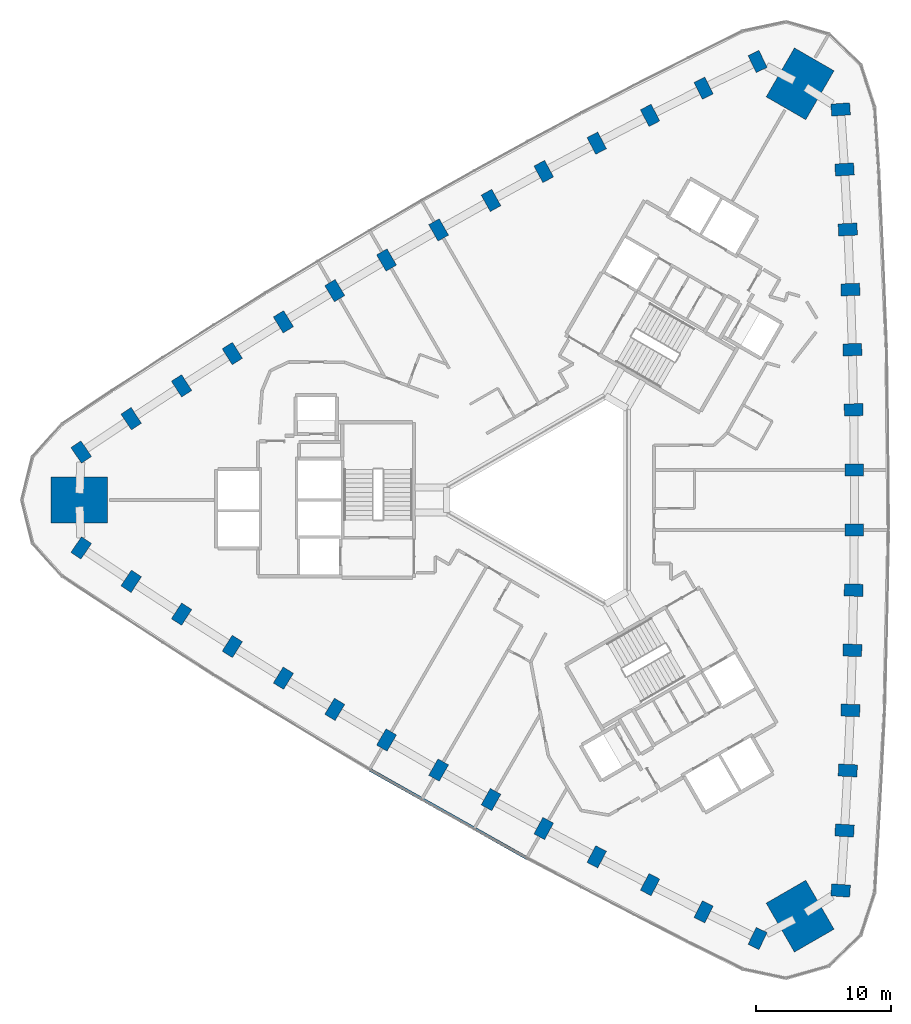
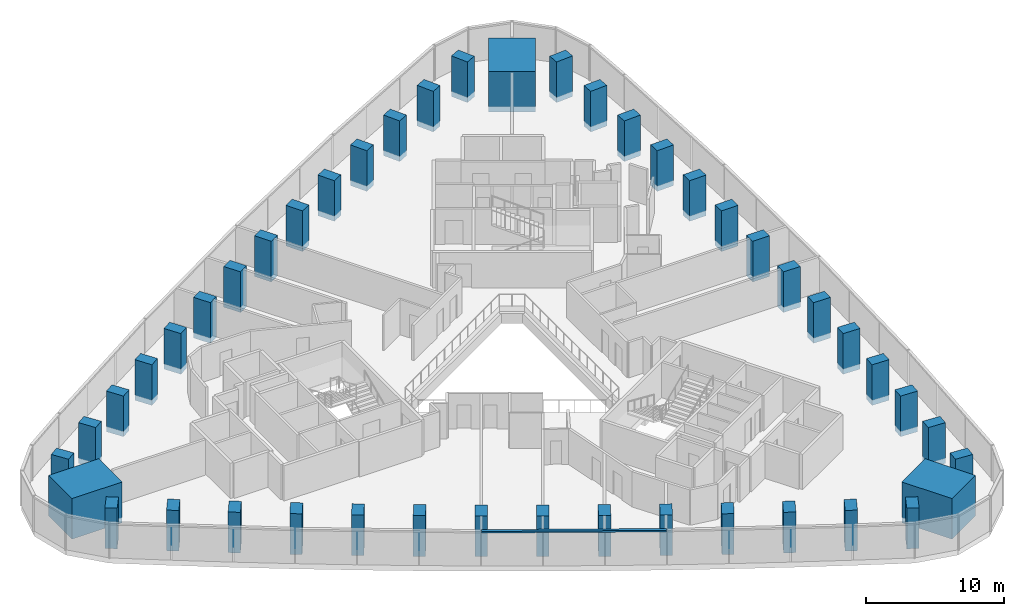
# One storey, part 1 of 13: 45 columns, 1 member, 1 element without a shape of its own.
"""IFC4 building model written with IfcOpenShell, lengths in metres."""

import ifcopenshell
import ifcopenshell.guid

model = None  # the IFC model being written
_history = None  # IfcOwnerHistory: only IFC2X3 demands one
_inside = {}  # id of a spatial element -> (the spatial element, [elements in it])
_under = {}  # id of a project, library or spatial element -> (it, [spatial elements below it])
_declared = {}  # id of a project -> (the project, [libraries it declares])
_typed = {}  # id of a type object -> (the type object, [elements of that type])
_made_of = {}  # id of a material, layer set ... -> (it, [elements and type objects made of it])


def new_model(schema):
    """Start an empty IFC model of exactly this schema.

    Asked for "IFC4X3", IfcOpenShell would pick the latest addendum, in which some entities
    have other attributes; the version numbers below select the first issue.
    IFC2X3 requires an IfcOwnerHistory on every rooted entity: one is made here for all.
    """
    global model, _history
    if schema == "IFC4X3":
        model = ifcopenshell.file(schema_version=(4, 3, 0, 0))
    else:
        model = ifcopenshell.file(schema=schema)
    _inside.clear()
    _under.clear()
    _declared.clear()
    _typed.clear()
    _made_of.clear()
    _history = None
    if model.schema == "IFC2X3":
        org = make("IfcOrganization", Name="unknown")
        user = make(
            "IfcPersonAndOrganization",
            ThePerson=make("IfcPerson", FamilyName="unknown"),
            TheOrganization=org,
        )
        app = make(
            "IfcApplication",
            ApplicationDeveloper=org,
            Version="unknown",
            ApplicationFullName="unknown",
            ApplicationIdentifier="unknown",
        )
        _history = make(
            "IfcOwnerHistory",
            OwningUser=user,
            OwningApplication=app,
            ChangeAction="ADDED",
            CreationDate=0,
        )
    return model


def make(cls, **values):
    """One entity of the class cls with the attributes given. An attribute that is None is left unset."""
    return model.create_entity(
        cls, **{name: value for name, value in values.items() if value is not None}
    )


def rooted(cls, **values):
    """An entity with a GlobalId (a new one), such as an element, a storey or a relation."""
    return make(cls, GlobalId=ifcopenshell.guid.new(), OwnerHistory=_history, **values)


def si_unit(unit_type, name, prefix=None):
    """IfcSIUnit, for example si_unit("LENGTHUNIT", "METRE", prefix="MILLI")."""
    return make("IfcSIUnit", UnitType=unit_type, Prefix=prefix, Name=name)


def assignment(units):
    """IfcUnitAssignment: the units of a project."""
    return None if units is None else make("IfcUnitAssignment", Units=units)


def point(xyz):
    """IfcCartesianPoint."""
    return None if xyz is None else make("IfcCartesianPoint", Coordinates=xyz)


def direction(xyz):
    """IfcDirection."""
    return None if xyz is None else make("IfcDirection", DirectionRatios=xyz)


def frame(location, z_axis=None, x_axis=None):
    """IfcAxis2Placement3D, a coordinate frame: its origin and axes. An axis left out is left unset."""
    return make(
        "IfcAxis2Placement3D",
        Location=point(location),
        Axis=direction(z_axis),
        RefDirection=direction(x_axis),
    )


def frame_2d(location, x_axis=None):
    """IfcAxis2Placement2D, a coordinate frame in the plane: its origin and x axis."""
    return make(
        "IfcAxis2Placement2D", Location=point(location), RefDirection=direction(x_axis)
    )


def origin():
    """The frame at (0, 0, 0) with its axes left unset."""
    return frame((0.0, 0.0, 0.0))


def origin_2d():
    """The frame at (0, 0) in the plane with its x axis left unset."""
    return frame_2d((0.0, 0.0))


def place(relative_to, where):
    """IfcLocalPlacement: puts the frame where relative to a parent placement (None: the world)."""
    return make(
        "IfcLocalPlacement", PlacementRelTo=relative_to, RelativePlacement=where
    )


def context(
    kind, dimensions, precision=None, world=None, true_north=None, identifier=None
):
    """IfcGeometricRepresentationContext, for example the 3D "Model" context."""
    return make(
        "IfcGeometricRepresentationContext",
        ContextIdentifier=identifier,
        ContextType=kind,
        CoordinateSpaceDimension=dimensions,
        Precision=precision,
        WorldCoordinateSystem=world,
        TrueNorth=true_north,
    )


def subcontext(parent, identifier, kind, view, scale=None):
    """IfcGeometricRepresentationSubContext, for example "Body" below "Model"."""
    return make(
        "IfcGeometricRepresentationSubContext",
        ContextIdentifier=identifier,
        ContextType=kind,
        ParentContext=parent,
        TargetScale=scale,
        TargetView=view,
    )


def project(units=None, contexts=None):
    """IfcProject with its units and contexts."""
    return rooted(
        "IfcProject",
        Name="project",
        RepresentationContexts=contexts,
        UnitsInContext=assignment(units),
    )


def spatial(cls, under=None, at=None, **own):
    """A site, building, storey or space (cls), placed at a placement, below another one or the project."""
    s = rooted(cls, ObjectPlacement=at, **own)
    if under is not None:
        _under.setdefault(under.id(), (under, []))[1].append(s)
    return s


def profile(cls, at=None, kind="AREA", **sizes):
    """A parametric profile (cls). Its sizes go by their IFC names, for example OverallWidth=200.0."""
    return make(cls, ProfileType=kind, Position=at, **sizes)


def rectangle(**sizes):
    """IfcRectangleProfileDef."""
    return profile("IfcRectangleProfileDef", **sizes)


def extrude(swept, where, along, depth):
    """IfcExtrudedAreaSolid: the profile swept, set in the frame where, extruded along a direction by depth."""
    return make(
        "IfcExtrudedAreaSolid",
        SweptArea=swept,
        Position=where,
        ExtrudedDirection=direction(along),
        Depth=depth,
    )


def shape(context_of_items, identifier, shape_type, items):
    """IfcShapeRepresentation: the items that make up one representation, for example the "Body"."""
    return make(
        "IfcShapeRepresentation",
        ContextOfItems=context_of_items,
        RepresentationIdentifier=identifier,
        RepresentationType=shape_type,
        Items=items,
    )


def material(Name=None, Category=None):
    """IfcMaterial."""
    return make("IfcMaterial", Name=Name, Category=Category)


def material_profile(
    of_material, cross_section, Name=None, Category=None, Priority=None
):
    """IfcMaterialProfile: a cross section and its material."""
    return make(
        "IfcMaterialProfile",
        Name=Name,
        Material=of_material,
        Profile=cross_section,
        Priority=Priority,
        Category=Category,
    )


def profile_set(profiles, Name=None, composite=None):
    """IfcMaterialProfileSet."""
    return make(
        "IfcMaterialProfileSet",
        Name=Name,
        MaterialProfiles=profiles,
        CompositeProfile=composite,
    )


def made_of(thing, what):
    """Note that an element or type object is made of a material, layer set ...; save() writes the relation."""
    if what is not None:
        _made_of.setdefault(what.id(), (what, []))[1].append(thing)
    return thing


def type_object(cls, material=None, **own):
    """A type object (cls), such as IfcWallType, which elements share."""
    return made_of(rooted(cls, **own), material)


def element(
    cls,
    number,
    at=None,
    inside=None,
    cuts=None,
    type_object=None,
    material=None,
    context=None,
    identifier="Body",
    shape_type=None,
    held_by="IfcProductDefinitionShape",
    body=None,
    shapes=None,
    **own,
):
    """One element of the class cls, such as IfcWall. Its Tag is "e" and its number.

    at: its placement. inside: the storey or other place that contains it. cuts: it is an
    opening in that element (IfcRelVoidsElement). A single representation is given by context,
    identifier, shape_type and body (its items); several are given by shapes. held_by: the class
    of the entity that holds the representations. save() writes the other relations.
    """
    e = rooted(cls, Tag="e%d" % number, ObjectPlacement=at, **own)
    if body is not None:
        shapes = [shape(context, identifier, shape_type, body)]
    if shapes is not None:
        e.Representation = make(held_by, Representations=shapes)
    if inside is not None:
        _inside.setdefault(inside.id(), (inside, []))[1].append(e)
    if cuts is not None:
        rooted(
            "IfcRelVoidsElement", RelatingBuildingElement=cuts, RelatedOpeningElement=e
        )
    if type_object is not None:
        _typed.setdefault(type_object.id(), (type_object, []))[1].append(e)
    return made_of(e, material)


def aggregate(whole, parts):
    """IfcRelAggregates: a whole, such as a stair, and the parts it consists of."""
    return rooted("IfcRelAggregates", RelatingObject=whole, RelatedObjects=parts)


def save(model, path):
    """Write the relations noted so far, then the file.

    IfcRelAggregates (storeys below a building ...), IfcRelContainedInSpatialStructure (elements
    in a storey), IfcRelDefinesByType, IfcRelAssociatesMaterial and IfcRelDeclares: one each for
    every whole, place, type object, material and project.
    """
    for whole, parts in _under.values():
        aggregate(whole, parts)
    for where, things in _inside.values():
        rooted(
            "IfcRelContainedInSpatialStructure",
            RelatedElements=things,
            RelatingStructure=where,
        )
    for kind, things in _typed.values():
        rooted("IfcRelDefinesByType", RelatedObjects=things, RelatingType=kind)
    for what, things in _made_of.values():
        rooted("IfcRelAssociatesMaterial", RelatedObjects=things, RelatingMaterial=what)
    for by, libraries in _declared.values():
        rooted("IfcRelDeclares", RelatingContext=by, RelatedDefinitions=libraries)
    model.write(path)


model = new_model("IFC4")

# Units and contexts
model_context = context("Model", 3, precision=1e-05, world=origin(), true_north=direction((0.0, 1.0)))
body_context = subcontext(model_context, "Body", "Model", "MODEL_VIEW")
ifc_project = project(units=[si_unit("LENGTHUNIT", "METRE"), si_unit("AREAUNIT", "SQUARE_METRE"), si_unit("VOLUMEUNIT", "CUBIC_METRE"), si_unit("PLANEANGLEUNIT", "RADIAN"), si_unit("MASSUNIT", "GRAM", prefix="KILO")], contexts=[model_context])

# Site, building, storey
site_placement = place(None, origin())
site = spatial("IfcSite", under=ifc_project, at=site_placement, CompositionType="ELEMENT")
building_placement = place(site_placement, origin())
building = spatial("IfcBuilding", under=site, at=building_placement, Name="Tamra Quay Hotel Tower", CompositionType="ELEMENT")
storey_placement = place(building_placement, frame((0.0, 0.0, 49.39990234375)))
storey = spatial("IfcBuildingStorey", under=building, at=storey_placement, Name="L10", CompositionType="ELEMENT", Elevation=49.39990234375)

# Columns
ifc_material_1 = material(Name="Concrete M70", Category="concrete")
ifc_material_profile_1 = material_profile(ifc_material_1, rectangle(XDim=1.39990234375, YDim=0.89990234375, at=origin_2d()), Name="COLUMN RC 900x1400 Z1")
ifc_profile_set_1 = profile_set([ifc_material_profile_1], Name="Concrete M70")
column_type_1 = type_object("IfcColumnType", Name="COLUMN RC 900x1400 Z1", PredefinedType="COLUMN", material=ifc_profile_set_1)
for number, where, z_axis, x_axis, name in (
    (1, (20.87890625, -29.033935546875, -0.474853515625), (0.0, 0.0, 1.0), (-0.997561736499, 0.069789554182, 0.0), "COL-C1E01-L10"),
    (2, (21.168701171875, -24.572509765625, -0.474853515625), (0.0, 0.0, 1.0), (-0.998214376921, 0.059733221148, 0.0), "COL-C1E02-L10"),
    (3, (21.410400390625, -20.10888671875, -0.474853515625), (0.0, 0.0, 1.0), (-0.998830734492, 0.048344222345, 0.0), "COL-C1E03-L10"),
    (4, (21.60400390625, -15.642578125, -0.474853515625), (0.0, 0.0, 1.0), (-0.999284860458, 0.037812268629, 0.0), "COL-C1E04-L10"),
    (5, (21.7490234375, -11.17431640625, -0.474853515625), (0.0, 0.0, 1.0), (-0.999628128016, 0.02726913418, 0.0), "COL-C1E05-L10"),
    (6, (21.845947265625, -6.70556640625, -0.474853515625), (0.0, 0.0, 1.0), (-0.999874567832, 0.015838200722, 0.0), "COL-C1E06-L10"),
    (7, (21.894287109375, -2.2353515625, -0.474853515625), (0.0, 0.0, 1.0), (-0.999986062833, 0.00527959646, 0.0), "COL-C1E07-L10"),
    (8, (21.894287109375, 2.2353515625, -0.474853515625), (0.0, 0.0, 1.0), (0.999986062833, 0.00527959646, 0.0), "COL-C1E08-L10"),
    (9, (21.845947265625, 6.70556640625, -0.474853515625), (0.0, 0.0, 1.0), (0.999874567832, 0.015838200722, 0.0), "COL-C1E09-L10"),
    (10, (21.7490234375, 11.17431640625, -0.474853515625), (0.0, 0.0, 1.0), (0.999628128016, 0.02726913418, 0.0), "COL-C1E10-L10"),
    (11, (21.60400390625, 15.642578125, -0.474853515625), (0.0, 0.0, 1.0), (0.999284860458, 0.037812268629, 0.0), "COL-C1E11-L10"),
    (12, (21.410400390625, 20.10888671875, -0.474853515625), (0.0, 0.0, 1.0), (0.998830734492, 0.048344222345, 0.0), "COL-C1E12-L10"),
    (13, (21.168701171875, 24.572509765625, -0.474853515625), (0.0, 0.0, 1.0), (0.998214376921, 0.059733221148, 0.0), "COL-C1E13-L10"),
    (14, (20.87890625, 29.033935546875, -0.474853515625), (0.0, 0.0, 1.0), (0.997561736499, 0.069789554182, 0.0), "COL-C1E14-L10"),
    (15, (14.70458984375, 32.5986328125, -0.474853515625), (0.0, 0.0, 1.0), (-0.438341341409, 0.898808582743, 0.0), "COL-C1NW01-L10"),
    (16, (10.69580078125, 30.618896484375, -0.474853515625), (0.0, 0.0, 1.0), (-0.447376701496, 0.89434561941, 0.0), "COL-C1NW02-L10"),
    (17, (6.709716796875, 28.596435546875, -0.474853515625), (0.0, 0.0, 1.0), (-0.457548042569, 0.889184901323, 0.0), "COL-C1NW03-L10"),
    (18, (2.744873046875, 26.53076171875, -0.474853515625), (0.0, 0.0, 1.0), (-0.466896045022, 0.884312209088, 0.0), "COL-C1NW04-L10"),
    (19, (-1.197265625, 24.422607421875, -0.474853515625), (0.0, 0.0, 1.0), (-0.476198301069, 0.879337920289, 0.0), "COL-C1NW05-L10"),
    (20, (-5.11572265625, 22.27197265625, -0.474853515625), (0.0, 0.0, 1.0), (-0.486220999741, 0.873835876702, 0.0), "COL-C1NW06-L10"),
    (21, (-9.011474609375, 20.07861328125, -0.474853515625), (0.0, 0.0, 1.0), (-0.495420766761, 0.868653132074, 0.0), "COL-C1NW07-L10"),
    (22, (-12.883056640625, 17.843505859375, -0.474853515625), (0.0, 0.0, 1.0), (-0.504565296072, 0.863373535614, 0.0), "COL-C1NW08-L10"),
    (23, (-16.72998046875, 15.56640625, -0.474853515625), (0.0, 0.0, 1.0), (-0.513653568092, 0.85799767598, 0.0), "COL-C1NW09-L10"),
    (24, (-20.552001953125, 13.248046875, -0.474853515625), (0.0, 0.0, 1.0), (-0.523429826947, 0.85206878611, 0.0), "COL-C1NW10-L10"),
    (25, (-24.348876953125, 10.88818359375, -0.474853515625), (0.0, 0.0, 1.0), (-0.532388815436, 0.84649994046, 0.0), "COL-C1NW11-L10"),
    (26, (-28.1201171875, 8.487548828125, -0.474853515625), (0.0, 0.0, 1.0), (-0.541282691923, 0.840840678978, 0.0), "COL-C1NW12-L10"),
    (27, (-31.86474609375, 6.04638671875, -0.474853515625), (0.0, 0.0, 1.0), (-0.550837675425, 0.834612398262, 0.0), "COL-C1NW13-L10"),
    (28, (-35.58349609375, 3.564697265625, -0.474853515625), (0.0, 0.0, 1.0), (-0.55922039509, 0.82901902856, 0.0), "COL-C1NW14-L10"),
    (29, (-35.58349609375, -3.564697265625, -0.474853515625), (0.0, 0.0, 1.0), (0.55922039509, 0.82901902856, 0.0), "COL-C1SW01-L10"),
    (30, (-31.86474609375, -6.04638671875, -0.474853515625), (0.0, 0.0, 1.0), (0.550837675425, 0.834612398262, 0.0), "COL-C1SW02-L10"),
    (31, (-28.1201171875, -8.487548828125, -0.474853515625), (0.0, 0.0, 1.0), (0.541282691923, 0.840840678978, 0.0), "COL-C1SW03-L10"),
    (32, (-24.348876953125, -10.88818359375, -0.474853515625), (0.0, 0.0, 1.0), (0.532388815436, 0.84649994046, 0.0), "COL-C1SW04-L10"),
    (33, (-20.552001953125, -13.248046875, -0.474853515625), (0.0, 0.0, 1.0), (0.523429826947, 0.85206878611, 0.0), "COL-C1SW05-L10"),
    (34, (-16.72998046875, -15.56640625, -0.474853515625), (0.0, 0.0, 1.0), (0.513653568092, 0.85799767598, 0.0), "COL-C1SW06-L10"),
    (35, (-12.883056640625, -17.843505859375, -0.474853515625), (0.0, 0.0, 1.0), (0.504565296072, 0.863373535614, 0.0), "COL-C1SW07-L10"),
    (36, (-9.011474609375, -20.07861328125, -0.474853515625), (0.0, 0.0, 1.0), (0.495420766761, 0.868653132074, 0.0), "COL-C1SW08-L10"),
    (37, (-5.11572265625, -22.27197265625, -0.474853515625), (0.0, 0.0, 1.0), (0.486220999741, 0.873835876702, 0.0), "COL-C1SW09-L10"),
    (38, (-1.197265625, -24.422607421875, -0.474853515625), (0.0, 0.0, 1.0), (0.476198301069, 0.879337920289, 0.0), "COL-C1SW10-L10"),
    (39, (2.744873046875, -26.53076171875, -0.474853515625), (0.0, 0.0, 1.0), (0.466896045022, 0.884312209088, 0.0), "COL-C1SW11-L10"),
    (40, (6.709716796875, -28.596435546875, -0.474853515625), (0.0, 0.0, 1.0), (0.457548042569, 0.889184901323, 0.0), "COL-C1SW12-L10"),
    (41, (10.69580078125, -30.618896484375, -0.474853515625), (0.0, 0.0, 1.0), (0.447376701496, 0.89434561941, 0.0), "COL-C1SW13-L10"),
    (42, (14.70458984375, -32.5986328125, -0.474853515625), (0.0, 0.0, 1.0), (0.438341341409, 0.898808582743, 0.0), "COL-C1SW14-L10"),
):
    element("IfcColumn", number, at=place(storey_placement, frame(where, z_axis=z_axis, x_axis=x_axis)), inside=storey, type_object=column_type_1, Name=name, PredefinedType="COLUMN", context=body_context, shape_type="SweptSolid", body=[
        extrude(rectangle(XDim=1.39990234375, YDim=0.89990234375, at=origin_2d()), origin(), (0.0, 0.0, 1.0), 3.599853515625),
    ])
ifc_material_profile_2 = material_profile(ifc_material_1, rectangle(XDim=4.199951171875, YDim=3.39990234375, at=origin_2d()), Name="MEGA COLUMN RC 3400x4200 Z1")
ifc_profile_set_2 = profile_set([ifc_material_profile_2], Name="Concrete M70")
column_type_2 = type_object("IfcColumnType", Name="MEGA COLUMN RC 3400x4200 Z1", PredefinedType="COLUMN", material=ifc_profile_set_2)
for number, where, z_axis, x_axis, name in (
    (43, (17.864501953125, 30.942138671875, -0.474853515625), (0.0, 0.0, 1.0), (0.5, 0.866025403784, 0.0), "COL-M1NE-L10"),
    (44, (-35.72900390625, 0.0, -0.474853515625), (0.0, 0.0, 1.0), (1.0, 0.0, 0.0), "COL-M1W-L10"),
    (45, (17.864501953125, -30.942138671875, -0.474853515625), (0.0, 0.0, 1.0), (-0.5, 0.866025403784, 0.0), "COL-M1SE-L10"),
):
    element("IfcColumn", number, at=place(storey_placement, frame(where, z_axis=z_axis, x_axis=x_axis)), inside=storey, type_object=column_type_2, Name=name, PredefinedType="COLUMN", context=body_context, shape_type="SweptSolid", body=[
        extrude(rectangle(XDim=4.199951171875, YDim=3.39990234375, at=origin_2d()), origin(), (0.0, 0.0, 1.0), 3.599853515625),
    ])

# Curtain wall, member
ifc_material_2 = material(Name="Aluminium 6063 anodised dark grey", Category="aluminium")
curtain_wall_type = type_object("IfcCurtainWallType", Name="CW3 CURTAIN WALL", PredefinedType="NOTDEFINED", material=ifc_material_2)
curtain_wall_placement = place(storey_placement, origin())
curtain_wall = element("IfcCurtainWall", 46, at=curtain_wall_placement, inside=storey, type_object=curtain_wall_type, Name="CW3 south-west face L10", PredefinedType="NOTDEFINED")
ifc_material_profile_3 = material_profile(ifc_material_2, rectangle(XDim=0.239990234375, YDim=0.139892578125, at=origin_2d()), Name="TRANSOM 240X140")
ifc_profile_set_3 = profile_set([ifc_material_profile_3], Name="Aluminium 6063 anodised dark grey")
member_type = type_object("IfcMemberType", Name="TRANSOM CW3 Z1", PredefinedType="USERDEFINED", material=ifc_profile_set_3)
member_placement = place(storey_placement, frame((-14.119140625, -20.057861328125, 3.05517578125), z_axis=(0.871397788328, -0.490577103518, 0.0), x_axis=(0.490577103518, 0.871397788328, 0.0)))
member = element("IfcMember", 47, at=member_placement, type_object=member_type, Name="CW3 transom L10.SW.7", ObjectType="TRANSOM", PredefinedType="USERDEFINED", context=body_context, shape_type="SweptSolid", body=[
    extrude(rectangle(XDim=0.239990234375, YDim=0.139892578125, at=origin_2d()), origin(), (0.0, 0.0, 1.0), 13.39306640625),
])
aggregate(curtain_wall, [member])

save(model, "model.ifc")
